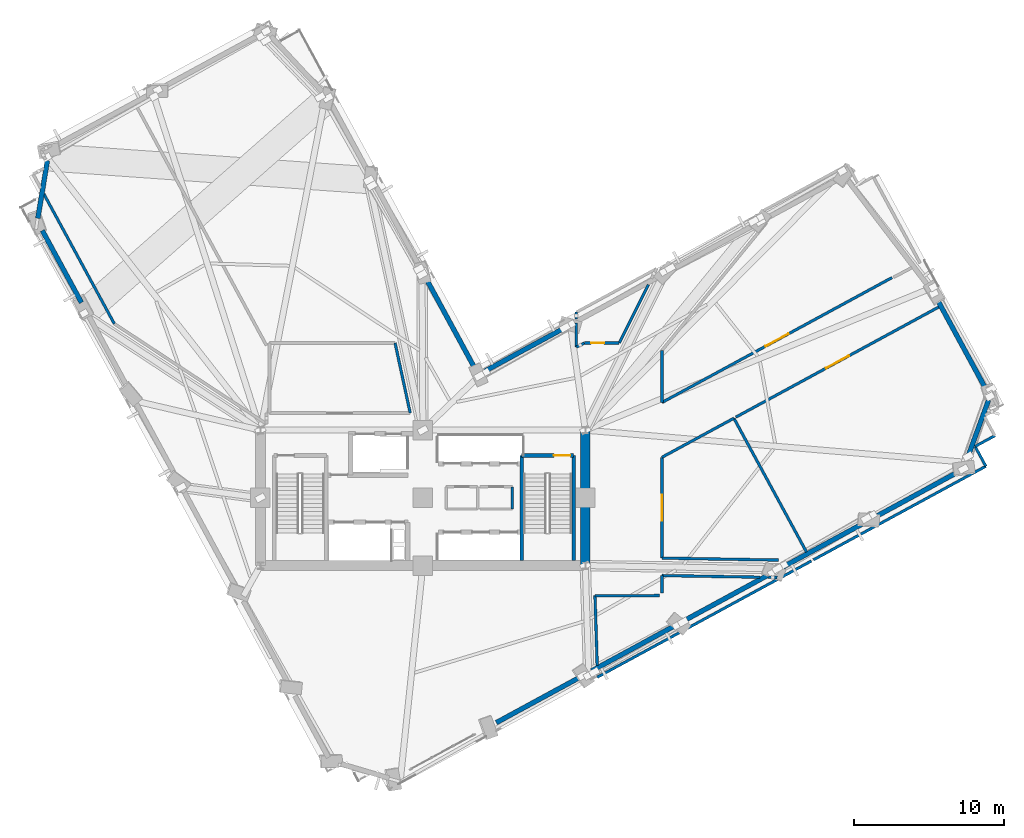
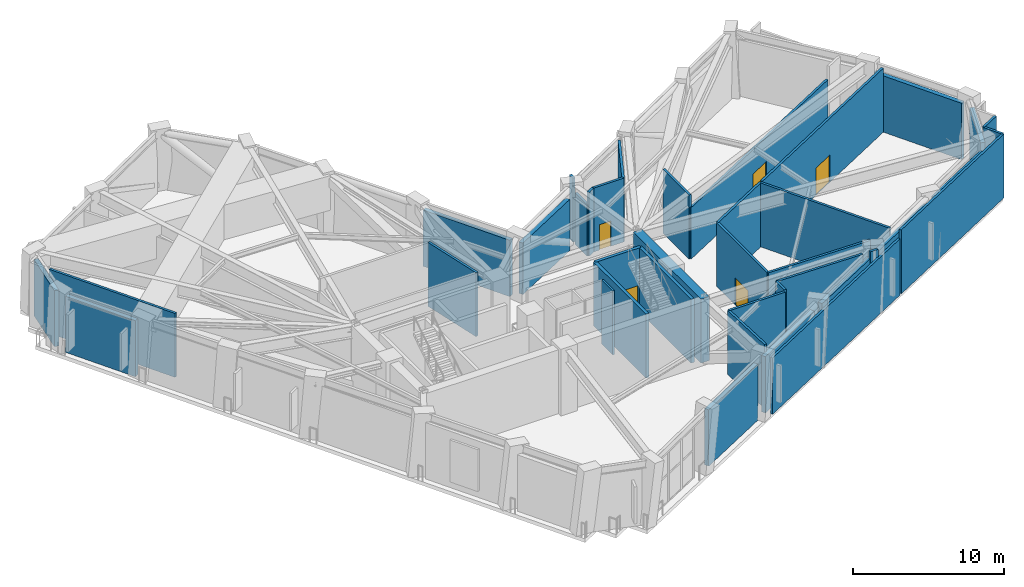
# One storey, part 9 of 15: 39 walls, 5 doors, 5 openings.
"""IFC4 building model written with IfcOpenShell, lengths in metres."""

from ifc_helpers import new_model, si_unit, direction, frame, frame_2d, origin, place, context, subcontext, project, spatial, rectangle, extrude, material, layer, layer_set, type_object, element, fill, save


model = new_model("IFC4")

# Units and contexts
model_context = context("Model", 3, precision=1e-05, world=origin(), true_north=direction((0.0, 1.0)))
body_context = subcontext(model_context, "Body", "Model", "MODEL_VIEW")
ifc_project = project(units=[si_unit("LENGTHUNIT", "METRE"), si_unit("AREAUNIT", "SQUARE_METRE"), si_unit("VOLUMEUNIT", "CUBIC_METRE"), si_unit("PLANEANGLEUNIT", "RADIAN"), si_unit("MASSUNIT", "GRAM", prefix="KILO")], contexts=[model_context])

# Site, building, storey
site_placement = place(None, origin())
site = spatial("IfcSite", under=ifc_project, at=site_placement, CompositionType="ELEMENT")
building_placement = place(site_placement, origin())
building = spatial("IfcBuilding", under=site, at=building_placement, Name="Gaonmaruhae Medical Tower", CompositionType="ELEMENT")
storey_placement = place(building_placement, frame((0.0, 0.0, 144.39990234375)))
storey = spatial("IfcBuildingStorey", under=building, at=storey_placement, Name="L34", CompositionType="ELEMENT", Elevation=144.39990234375)

# Walls
ifc_material_1 = material(Name="Concrete C60/75", Category="concrete")
ifc_layer_1 = layer(ifc_material_1, 0.64990234375)
ifc_layer_set_1 = layer_set([ifc_layer_1], Name="Concrete C60/75")
wall_type_1 = type_object("IfcWallType", Name="CW-650 Zone 2 Core Shear Wall", PredefinedType="SHEAR", material=ifc_layer_set_1)
wall_1_placement = place(storey_placement, frame((35.60009765625, 7.800048828125, 0.0), z_axis=(0.0, 0.0, 1.0), x_axis=(0.0, 1.0, 0.0)))
element("IfcWall", 1, at=wall_1_placement, inside=storey, type_object=wall_type_1, Name="L34 Core Shear Wall CSW-E1", PredefinedType="SHEAR", context=body_context, shape_type="SweptSolid", body=[
    extrude(rectangle(XDim=9.0, YDim=0.64990234375, at=frame_2d((4.5, 0.0))), origin(), (0.0, 0.0, 1.0), 5.18017578125),
])
ifc_material_2 = material(Name="Precast concrete C45/55", Category="concrete")
ifc_layer_2 = layer(ifc_material_2, 0.320068359375)
ifc_layer_set_2 = layer_set([ifc_layer_2], Name="Precast concrete C45/55")
wall_type_2 = type_object("IfcWallType", Name="EW-320 Lower Precast Masonry-Frame Facade Wall", PredefinedType="SOLIDWALL", material=ifc_layer_set_2)
wall_2_placement = place(storey_placement, frame((35.1611328125, 0.32958984375, 0.0), z_axis=(0.0, 0.0, 1.0), x_axis=(-0.878808390316, -0.477174824473, 0.0)))
element("IfcWall", 2, at=wall_2_placement, inside=storey, type_object=wall_type_2, Name="L34 Precast Masonry-Frame Wall S02-S03", PredefinedType="SOLIDWALL", context=body_context, shape_type="SweptSolid", body=[
    extrude(rectangle(XDim=6.234375, YDim=0.320068359375, at=frame_2d((3.1171875, 0.0))), origin(), (0.0, 0.0, 1.0), 4.565185546875),
])
wall_3_placement = place(storey_placement, frame((41.482666015625, 3.76171875, 0.0), z_axis=(0.0, 0.0, 1.0), x_axis=(-0.878823307804, -0.477147350051, 0.0)))
element("IfcWall", 3, at=wall_3_placement, inside=storey, type_object=wall_type_2, Name="L34 Precast Masonry-Frame Wall S03-S04", PredefinedType="SOLIDWALL", context=body_context, shape_type="SweptSolid", body=[
    extrude(rectangle(XDim=6.214111328125, YDim=0.320068359375, at=frame_2d((3.10693359375, 0.0))), origin(), (0.0, 0.0, 1.0), 4.565185546875),
])
wall_4_placement = place(storey_placement, frame((47.810546875, 7.197509765625, 0.0), z_axis=(0.0, 0.0, 1.0), x_axis=(-0.878818100109, -0.477156941603, 0.0)))
element("IfcWall", 4, at=wall_4_placement, inside=storey, type_object=wall_type_2, Name="L34 Precast Masonry-Frame Wall S04-S05", PredefinedType="SOLIDWALL", context=body_context, shape_type="SweptSolid", body=[
    extrude(rectangle(XDim=6.208984375, YDim=0.320068359375, at=frame_2d((3.1044921875, 0.0))), origin(), (0.0, 0.0, 1.0), 4.565185546875),
])
wall_5_placement = place(storey_placement, frame((54.14501953125, 10.63671875, 0.0), z_axis=(0.0, 0.0, 1.0), x_axis=(-0.878842142956, -0.477112657309, 0.0)))
element("IfcWall", 5, at=wall_5_placement, inside=storey, type_object=wall_type_2, Name="L34 Precast Masonry-Frame Wall S05-S06", PredefinedType="SOLIDWALL", context=body_context, shape_type="SweptSolid", body=[
    extrude(rectangle(XDim=6.21826171875, YDim=0.320068359375, at=frame_2d((3.109130859375, 0.0))), origin(), (0.0, 0.0, 1.0), 4.565185546875),
])
wall_6_placement = place(storey_placement, frame((60.48583984375, 14.07958984375, 0.0), z_axis=(0.0, 0.0, 1.0), x_axis=(-0.87882063172, -0.477152278904, 0.0)))
element("IfcWall", 6, at=wall_6_placement, inside=storey, type_object=wall_type_2, Name="L34 Precast Masonry-Frame Wall S06-S07", PredefinedType="SOLIDWALL", context=body_context, shape_type="SweptSolid", body=[
    extrude(rectangle(XDim=6.2421875, YDim=0.320068359375, at=frame_2d((3.12109375, 0.0))), origin(), (0.0, 0.0, 1.0), 4.565185546875),
])
wall_7_placement = place(storey_placement, frame((62.41259765625, 18.8037109375, 0.0), z_axis=(0.0, 0.0, 1.0), x_axis=(-0.342854176622, -0.939388638197, 0.0)))
element("IfcWall", 7, at=wall_7_placement, inside=storey, type_object=wall_type_2, Name="L34 Precast Masonry-Frame Wall S07-E01", PredefinedType="SOLIDWALL", context=body_context, shape_type="SweptSolid", body=[
    extrude(rectangle(XDim=4.14501953125, YDim=0.320068359375, at=frame_2d((2.072509765625, 0.0))), origin(), (0.0, 0.0, 1.0), 4.565185546875),
])
wall_8_placement = place(storey_placement, frame((58.920654296875, 25.633544921875, 0.0), z_axis=(0.0, 0.0, 1.0), x_axis=(0.477183231478, -0.878803825433, 0.0)))
element("IfcWall", 8, at=wall_8_placement, inside=storey, type_object=wall_type_2, Name="L34 Precast Masonry-Frame Wall E01-E02", PredefinedType="SOLIDWALL", context=body_context, shape_type="SweptSolid", body=[
    extrude(rectangle(XDim=6.83984375, YDim=0.320068359375, at=frame_2d((3.419921875, 0.0))), origin(), (0.0, 0.0, 1.0), 4.565185546875),
])
wall_9_placement = place(storey_placement, frame((28.931640625, 20.72900390625, 0.0), z_axis=(0.0, 0.0, 1.0), x_axis=(0.878809753576, 0.47717231376, 0.0)))
element("IfcWall", 9, at=wall_9_placement, inside=storey, type_object=wall_type_2, Name="L34 Precast Masonry-Frame Wall EN03-KN01", PredefinedType="SOLIDWALL", context=body_context, shape_type="SweptSolid", body=[
    extrude(rectangle(XDim=5.960205078125, YDim=0.320068359375, at=frame_2d((2.97998046875, 0.0))), origin(), (0.0, 0.0, 1.0), 4.1650390625),
])
wall_10_placement = place(storey_placement, frame((25.051513671875, 26.8173828125, 0.0), z_axis=(0.0, 0.0, 1.0), x_axis=(0.47715083897, -0.878821413525, 0.0)))
element("IfcWall", 10, at=wall_10_placement, inside=storey, type_object=wall_type_2, Name="L34 Precast Masonry-Frame Wall KN01-NE01", PredefinedType="SOLIDWALL", context=body_context, shape_type="SweptSolid", body=[
    extrude(rectangle(XDim=6.760009765625, YDim=0.320068359375, at=frame_2d((3.3798828125, 0.0))), origin(), (0.0, 0.0, 1.0), 4.565185546875),
])
wall_11_placement = place(storey_placement, frame((-0.79638671875, 30.88818359375, 0.0), z_axis=(0.0, 0.0, 1.0), x_axis=(0.163818799097, 0.986490446514, 0.0)))
element("IfcWall", 11, at=wall_11_placement, inside=storey, type_object=wall_type_2, Name="L34 Precast Masonry-Frame Wall N03-W01", PredefinedType="SOLIDWALL", context=body_context, shape_type="SweptSolid", body=[
    extrude(rectangle(XDim=3.8896484375, YDim=0.320068359375, at=frame_2d((1.94482421875, 0.0))), origin(), (0.0, 0.0, 1.0), 4.545166015625),
])
wall_12_placement = place(storey_placement, frame((2.103515625, 25.28125, 0.0), z_axis=(0.0, 0.0, 1.0), x_axis=(-0.477173828041, 0.878808931357, 0.0)))
element("IfcWall", 12, at=wall_12_placement, inside=storey, type_object=wall_type_2, Name="L34 Precast Masonry-Frame Wall W01-W02", PredefinedType="SOLIDWALL", context=body_context, shape_type="SweptSolid", body=[
    extrude(rectangle(XDim=5.45556640625, YDim=0.320068359375, at=frame_2d((2.727783203125, 0.0))), origin(), (0.0, 0.0, 1.0), 4.545166015625),
])
ifc_material_3 = material(Name="Gypsum board partition", Category="gypsum")
ifc_layer_3 = layer(ifc_material_3, 0.14990234375)
ifc_layer_set_3 = layer_set([ifc_layer_3], Name="Gypsum board partition")
wall_type_3 = type_object("IfcWallType", Name="PW-150 Rated Clinical Corridor Partition", PredefinedType="PARTITIONING", material=ifc_layer_set_3)
wall_13_placement = place(storey_placement, frame((30.75, 13.0400390625, 0.0), z_axis=(0.0, 0.0, 1.0), x_axis=(0.0, -1.0, 0.0)))
element("IfcWall", 13, at=wall_13_placement, inside=storey, type_object=wall_type_3, Name="L34 Interior Partition L34-CS2-6", PredefinedType="PARTITIONING", context=body_context, shape_type="SweptSolid", body=[
    extrude(rectangle(XDim=1.47998046875, YDim=0.14990234375, at=frame_2d((0.739990234375, 0.0))), origin(), (0.0, 0.0, 1.0), 5.18017578125),
])
ifc_layer_4 = layer(ifc_material_3, 0.179931640625)
ifc_layer_set_4 = layer_set([ifc_layer_4], Name="Gypsum board partition")
wall_type_4 = type_object("IfcWallType", Name="PW-180 Refuge & Plant Acoustic Fire Partition", PredefinedType="PARTITIONING", material=ifc_layer_set_4)
wall_14_placement = place(storey_placement, frame((22.9541015625, 22.60009765625, 0.0), z_axis=(0.0, 0.0, 1.0), x_axis=(0.211025367059, -0.977480585208, 0.0)))
element("IfcWall", 14, at=wall_14_placement, inside=storey, type_object=wall_type_4, Name="L34 Interior Partition L34-REF1-10", PredefinedType="PARTITIONING", context=body_context, shape_type="SweptSolid", body=[
    extrude(rectangle(XDim=4.75732421875, YDim=0.179931640625, at=frame_2d((2.378662109375, 0.0))), origin(), (0.0, 0.0, 1.0), 5.18017578125),
])
wall_15_placement = place(storey_placement, frame((40.698974609375, 5.97998046875, 0.0), z_axis=(0.0, 0.0, 1.0), x_axis=(0.00084548691, 0.999999642576, 0.0)))
element("IfcWall", 15, at=wall_15_placement, inside=storey, type_object=wall_type_4, Name="L34 Interior Partition L34-CHILB-20", PredefinedType="PARTITIONING", context=body_context, shape_type="SweptSolid", body=[
    extrude(rectangle(XDim=1.155029296875, YDim=0.179931640625, at=frame_2d((0.57763671875, 0.0))), origin(), (0.0, 0.0, 1.0), 5.18017578125),
])
wall_16_placement = place(storey_placement, frame((40.699951171875, 7.135009765625, 0.0), z_axis=(0.0, 0.0, 1.0), x_axis=(0.999862820754, -0.016563202413, 0.0)))
element("IfcWall", 16, at=wall_16_placement, inside=storey, type_object=wall_type_4, Name="L34 Interior Partition L34-CHILB-21", PredefinedType="PARTITIONING", context=body_context, shape_type="SweptSolid", body=[
    extrude(rectangle(XDim=6.51513671875, YDim=0.179931640625, at=frame_2d((3.257568359375, 0.0))), origin(), (0.0, 0.0, 1.0), 5.18017578125),
])
wall_17_placement = place(storey_placement, frame((47.762939453125, 7.01806640625, 0.0), z_axis=(0.0, 0.0, 1.0), x_axis=(0.999860004414, -0.016732351094, 0.0)))
element("IfcWall", 17, at=wall_17_placement, inside=storey, type_object=wall_type_4, Name="L34 Interior Partition L34-CHILB-22", PredefinedType="PARTITIONING", context=body_context, shape_type="SweptSolid", body=[
    extrude(rectangle(XDim=0.59814453125, YDim=0.179931640625, at=frame_2d((0.299072265625, 0.0))), origin(), (0.0, 0.0, 1.0), 5.18017578125),
])
wall_18_placement = place(storey_placement, frame((48.43701171875, 8.1650390625, 0.0), z_axis=(0.0, 0.0, 1.0), x_axis=(-0.999857000495, 0.016910900643, 0.0)))
element("IfcWall", 18, at=wall_18_placement, inside=storey, type_object=wall_type_4, Name="L34 Interior Partition L34-CHILB-23", PredefinedType="PARTITIONING", context=body_context, shape_type="SweptSolid", body=[
    extrude(rectangle(XDim=7.73828125, YDim=0.179931640625, at=frame_2d((3.869140625, 0.0))), origin(), (0.0, 0.0, 1.0), 5.18017578125),
])

# Wall, opening, door
wall_19_placement = place(storey_placement, frame((40.699951171875, 8.2958984375, 0.0), z_axis=(0.0, 0.0, 1.0), x_axis=(0.0, 1.0, 0.0)))
wall_19 = element("IfcWall", 19, at=wall_19_placement, inside=storey, type_object=wall_type_4, Name="L34 Interior Partition L34-CHILB-24", PredefinedType="PARTITIONING", context=body_context, shape_type="SweptSolid", body=[
    extrude(rectangle(XDim=6.7041015625, YDim=0.179931640625, at=frame_2d((3.35205078125, 0.0))), origin(), (0.0, 0.0, 1.0), 5.18017578125),
])
opening_1_placement = place(wall_19_placement, frame((2.47705078125, 0.0, 0.0)))
opening_1 = element("IfcOpeningElement", 20, at=opening_1_placement, cuts=wall_19, Name="Opening PD-01", PredefinedType="OPENING", context=body_context, shape_type="SweptSolid", body=[
    extrude(rectangle(XDim=1.75, YDim=2.199951171875, at=frame_2d((0.875, 1.10009765625))), frame((0.0, 0.10009765625, 0.0), z_axis=(0.0, -1.0, 0.0), x_axis=(1.0, 0.0, 0.0)), (0.0, 0.0, 1.0), 0.199951171875),
])
ifc_material_4 = material(Name="Acoustic galvanised steel plant door", Category="steel")
door_type_1 = type_object("IfcDoorType", Name="PD-01 Mechanical Plant Double Equipment Door 1750x2200", OperationType="NOTDEFINED", PredefinedType="DOOR", material=ifc_material_4)
door_1_placement = place(opening_1_placement, origin())
door_1 = element("IfcDoor", 21, at=door_1_placement, inside=storey, type_object=door_type_1, Name="L34 Zone Chiller and Heat Exchanger Plant Room Annex Door", OperationType="DOUBLE_DOOR_SINGLE_SWING", OverallHeight=2.199951171875, OverallWidth=1.75, PredefinedType="DOOR", context=body_context, shape_type="SweptSolid", body=[
    extrude(rectangle(XDim=1.75, YDim=2.199951171875, at=frame_2d((0.875, 1.10009765625))), frame((0.0, 0.02490234375, 0.0), z_axis=(0.0, -1.0, 0.0), x_axis=(1.0, 0.0, 0.0)), (0.0, 0.0, 1.0), 0.050048828125),
])
fill(opening_1, door_1)

# Walls
wall_20_placement = place(storey_placement, frame((40.699951171875, 15.0, 0.0), z_axis=(0.0, 0.0, 1.0), x_axis=(0.878839444426, 0.477117627971, 0.0)))
element("IfcWall", 22, at=wall_20_placement, inside=storey, type_object=wall_type_4, Name="L34 Interior Partition L34-CHILB-25", PredefinedType="PARTITIONING", context=body_context, shape_type="SweptSolid", body=[
    extrude(rectangle(XDim=5.436767578125, YDim=0.179931640625, at=frame_2d((2.71826171875, 0.0))), origin(), (0.0, 0.0, 1.0), 5.18017578125),
])
wall_21_placement = place(storey_placement, frame((45.47802734375, 17.593994140625, 0.0), z_axis=(0.0, 0.0, 1.0), x_axis=(0.477131280345, -0.878832032482, 0.0)))
element("IfcWall", 23, at=wall_21_placement, inside=storey, type_object=wall_type_4, Name="L34 Interior Partition L34-CHILB-26", PredefinedType="PARTITIONING", context=body_context, shape_type="SweptSolid", body=[
    extrude(rectangle(XDim=10.114501953125, YDim=0.179931640625, at=frame_2d((5.05712890625, 0.0))), origin(), (0.0, 0.0, 1.0), 5.18017578125),
])
wall_22_placement = place(storey_placement, frame((50.631103515625, 8.10302734375, 0.0), z_axis=(0.0, 0.0, 1.0), x_axis=(-0.878831583787, -0.477132106799, 0.0)))
element("IfcWall", 24, at=wall_22_placement, inside=storey, type_object=wall_type_4, Name="L34 Interior Partition L34-CHILB-27", PredefinedType="PARTITIONING", context=body_context, shape_type="SweptSolid", body=[
    extrude(rectangle(XDim=16.198974609375, YDim=0.179931640625, at=frame_2d((8.099609375, 0.0))), origin(), (0.0, 0.0, 1.0), 4.565185546875),
])
wall_23_placement = place(storey_placement, frame((36.39111328125, 1.15087890625, 0.0), z_axis=(0.0, 0.0, 1.0), x_axis=(-0.031649315657, 0.999499034926, 0.0)))
element("IfcWall", 25, at=wall_23_placement, inside=storey, type_object=wall_type_4, Name="L34 Interior Partition L34-CHILB-28", PredefinedType="PARTITIONING", context=body_context, shape_type="SweptSolid", body=[
    extrude(rectangle(XDim=4.651611328125, YDim=0.179931640625, at=frame_2d((2.32568359375, 0.0))), origin(), (0.0, 0.0, 1.0), 5.18017578125),
])
wall_24_placement = place(storey_placement, frame((36.243896484375, 5.800048828125, 0.0), z_axis=(0.0, 0.0, 1.0), x_axis=(0.999999586448, 0.000909452247, 0.0)))
element("IfcWall", 26, at=wall_24_placement, inside=storey, type_object=wall_type_4, Name="L34 Interior Partition L34-CHILB-29", PredefinedType="PARTITIONING", context=body_context, shape_type="SweptSolid", body=[
    extrude(rectangle(XDim=4.295166015625, YDim=0.179931640625, at=frame_2d((2.1474609375, 0.0))), origin(), (0.0, 0.0, 1.0), 5.18017578125),
])

# Wall, opening, door
wall_25_placement = place(storey_placement, frame((45.60888671875, 17.666015625, 0.0), z_axis=(0.0, 0.0, 1.0), x_axis=(0.878847150276, 0.477103433704, 0.0)))
wall_25 = element("IfcWall", 27, at=wall_25_placement, inside=storey, type_object=wall_type_4, Name="L34 Interior Partition L34-AHU-30", PredefinedType="PARTITIONING", context=body_context, shape_type="SweptSolid", body=[
    extrude(rectangle(XDim=15.36572265625, YDim=0.179931640625, at=frame_2d((7.682861328125, 0.0))), origin(), (0.0, 0.0, 1.0), 5.18017578125),
])
opening_2_placement = place(wall_25_placement, frame((6.807861328125, 0.0, 0.0)))
opening_2 = element("IfcOpeningElement", 28, at=opening_2_placement, cuts=wall_25, Name="Opening PD-01", PredefinedType="OPENING", context=body_context, shape_type="SweptSolid", body=[
    extrude(rectangle(XDim=1.75, YDim=2.199951171875, at=frame_2d((0.875, 1.10009765625))), frame((0.0, 0.10009765625, 0.0), z_axis=(0.0, -1.0, 0.0), x_axis=(1.0, 0.0, 0.0)), (0.0, 0.0, 1.0), 0.199951171875),
])
door_2_placement = place(opening_2_placement, origin())
door_2 = element("IfcDoor", 29, at=door_2_placement, inside=storey, type_object=door_type_1, Name="L34 Clinical Air Handling Unit Plant Room Door", OperationType="DOUBLE_DOOR_SINGLE_SWING", OverallHeight=2.199951171875, OverallWidth=1.75, PredefinedType="DOOR", context=body_context, shape_type="SweptSolid", body=[
    extrude(rectangle(XDim=1.75, YDim=2.199951171875, at=frame_2d((0.875, 1.10009765625))), frame((0.0, 0.02490234375, 0.0), z_axis=(0.0, -1.0, 0.0), x_axis=(1.0, 0.0, 0.0)), (0.0, 0.0, 1.0), 0.050048828125),
])
fill(opening_2, door_2)

# Walls
wall_26_placement = place(storey_placement, frame((62.833984375, 16.43603515625, 0.0), z_axis=(0.0, 0.0, 1.0), x_axis=(-0.878672014112, -0.477425901703, 0.0)))
element("IfcWall", 30, at=wall_26_placement, inside=storey, type_object=wall_type_4, Name="L34 Interior Partition L34-AHU-34", PredefinedType="PARTITIONING", context=body_context, shape_type="SweptSolid", body=[
    extrude(rectangle(XDim=1.499755859375, YDim=0.179931640625, at=frame_2d((0.75, 0.0))), origin(), (0.0, 0.0, 1.0), 5.18017578125),
])
wall_27_placement = place(storey_placement, frame((61.51611328125, 15.719970703125, 0.0), z_axis=(0.0, 0.0, 1.0), x_axis=(0.476797162436, -0.879013347961, 0.0)))
element("IfcWall", 31, at=wall_27_placement, inside=storey, type_object=wall_type_4, Name="L34 Interior Partition L34-AHU-35", PredefinedType="PARTITIONING", context=body_context, shape_type="SweptSolid", body=[
    extrude(rectangle(XDim=1.499267578125, YDim=0.179931640625, at=frame_2d((0.74951171875, 0.0))), origin(), (0.0, 0.0, 1.0), 5.18017578125),
])
wall_28_placement = place(storey_placement, frame((62.23095703125, 14.402099609375, 0.0), z_axis=(0.0, 0.0, 1.0), x_axis=(-0.878803446557, -0.477183929234, 0.0)))
element("IfcWall", 32, at=wall_28_placement, inside=storey, type_object=wall_type_4, Name="L34 Interior Partition L34-AHU-36", PredefinedType="PARTITIONING", context=body_context, shape_type="SweptSolid", body=[
    extrude(rectangle(XDim=13.049560546875, YDim=0.179931640625, at=frame_2d((6.52490234375, 0.0))), origin(), (0.0, 0.0, 1.0), 5.18017578125),
])

# Wall, opening, door
wall_29_placement = place(storey_placement, frame((55.990966796875, 26.944091796875, 0.0), z_axis=(0.0, 0.0, 1.0), x_axis=(-0.878825358155, -0.477143573638, 0.0)))
wall_29 = element("IfcWall", 33, at=wall_29_placement, inside=storey, type_object=wall_type_4, Name="L34 Interior Partition L34-PUMP-37", PredefinedType="PARTITIONING", context=body_context, shape_type="SweptSolid", body=[
    extrude(rectangle(XDim=17.3994140625, YDim=0.179931640625, at=frame_2d((8.69970703125, 0.0))), origin(), (0.0, 0.0, 1.0), 4.1650390625),
])
opening_3_placement = place(wall_29_placement, frame((7.82470703125, 0.0, 0.0)))
opening_3 = element("IfcOpeningElement", 34, at=opening_3_placement, cuts=wall_29, Name="Opening PD-01", PredefinedType="OPENING", context=body_context, shape_type="SweptSolid", body=[
    extrude(rectangle(XDim=1.75, YDim=2.199951171875, at=frame_2d((0.875, 1.10009765625))), frame((0.0, 0.10009765625, 0.0), z_axis=(0.0, -1.0, 0.0), x_axis=(1.0, 0.0, 0.0)), (0.0, 0.0, 1.0), 0.199951171875),
])
door_3_placement = place(opening_3_placement, origin())
door_3 = element("IfcDoor", 35, at=door_3_placement, inside=storey, type_object=door_type_1, Name="L34 Domestic Booster and Fire Pump Tank Room Door", OperationType="DOUBLE_DOOR_SINGLE_SWING", OverallHeight=2.199951171875, OverallWidth=1.75, PredefinedType="DOOR", context=body_context, shape_type="SweptSolid", body=[
    extrude(rectangle(XDim=1.75, YDim=2.199951171875, at=frame_2d((0.875, 1.10009765625))), frame((0.0, 0.02490234375, 0.0), z_axis=(0.0, -1.0, 0.0), x_axis=(1.0, 0.0, 0.0)), (0.0, 0.0, 1.0), 0.050048828125),
])
fill(opening_3, door_3)

# Walls
wall_30_placement = place(storey_placement, frame((40.699951171875, 18.64208984375, 0.0), z_axis=(0.0, 0.0, 1.0), x_axis=(0.0, 1.0, 0.0)))
element("IfcWall", 36, at=wall_30_placement, inside=storey, type_object=wall_type_4, Name="L34 Interior Partition L34-PUMP-38", PredefinedType="PARTITIONING", context=body_context, shape_type="SweptSolid", body=[
    extrude(rectangle(XDim=3.468017578125, YDim=0.179931640625, at=frame_2d((1.73388671875, 0.0))), origin(), (0.0, 0.0, 1.0), 5.18017578125),
])
wall_31_placement = place(storey_placement, frame((35.531982421875, 22.595947265625, 0.0), z_axis=(0.0, 0.0, 1.0), x_axis=(-0.885560928878, -0.464523240802, 0.0)))
element("IfcWall", 37, at=wall_31_placement, inside=storey, type_object=wall_type_4, Name="L34 Interior Partition L34-PUMPB-45", PredefinedType="PARTITIONING", context=body_context, shape_type="SweptSolid", body=[
    extrude(rectangle(XDim=0.600830078125, YDim=0.179931640625, at=frame_2d((0.30029296875, 0.0))), origin(), (0.0, 0.0, 1.0), 5.18017578125),
])
wall_32_placement = place(storey_placement, frame((35.0, 22.31689453125, 0.0), z_axis=(0.0, 0.0, 1.0), x_axis=(0.0, 1.0, 0.0)))
element("IfcWall", 38, at=wall_32_placement, inside=storey, type_object=wall_type_4, Name="L34 Interior Partition L34-PUMPB-46", PredefinedType="PARTITIONING", context=body_context, shape_type="SweptSolid", body=[
    extrude(rectangle(XDim=1.60107421875, YDim=0.179931640625, at=frame_2d((0.800537109375, 0.0))), origin(), (0.0, 0.0, 1.0), 4.1650390625),
])
wall_33_placement = place(storey_placement, frame((35.0, 24.177978515625, 0.0), z_axis=(0.0, 0.0, 1.0), x_axis=(0.0, 1.0, 0.0)))
element("IfcWall", 39, at=wall_33_placement, inside=storey, type_object=wall_type_4, Name="L34 Interior Partition L34-PUMPB-47", PredefinedType="PARTITIONING", context=body_context, shape_type="SweptSolid", body=[
    extrude(rectangle(XDim=0.471923828125, YDim=0.179931640625, at=frame_2d((0.23583984375, 0.0))), origin(), (0.0, 0.0, 1.0), 5.18017578125),
])
wall_34_placement = place(storey_placement, frame((39.7880859375, 26.469970703125, 0.0), z_axis=(0.0, 0.0, 1.0), x_axis=(-0.447416698737, -0.894325610553, 0.0)))
element("IfcWall", 40, at=wall_34_placement, inside=storey, type_object=wall_type_4, Name="L34 Interior Partition L34-PUMPB-50", PredefinedType="PARTITIONING", context=body_context, shape_type="SweptSolid", body=[
    extrude(rectangle(XDim=4.3271484375, YDim=0.179931640625, at=frame_2d((2.16357421875, 0.0))), origin(), (0.0, 0.0, 1.0), 5.18017578125),
])

# Wall, opening, door
wall_35_placement = place(storey_placement, frame((37.85205078125, 22.60009765625, 0.0), z_axis=(0.0, 0.0, 1.0), x_axis=(-0.999998399907, -0.001788905903, 0.0)))
wall_35 = element("IfcWall", 41, at=wall_35_placement, inside=storey, type_object=wall_type_4, Name="L34 Interior Partition L34-PUMPB-51", PredefinedType="PARTITIONING", context=body_context, shape_type="SweptSolid", body=[
    extrude(rectangle(XDim=2.320068359375, YDim=0.179931640625, at=frame_2d((1.16015625, 0.0))), origin(), (0.0, 0.0, 1.0), 5.18017578125),
])
opening_4_placement = place(wall_35_placement, frame((1.0, 0.0, 0.0)))
opening_4 = element("IfcOpeningElement", 42, at=opening_4_placement, cuts=wall_35, Name="Opening AD-01", PredefinedType="OPENING", context=body_context, shape_type="SweptSolid", body=[
    extrude(rectangle(XDim=0.860107421875, YDim=2.06005859375, at=frame_2d((0.43017578125, 1.030029296875))), frame((0.0, 0.10009765625, 0.0), z_axis=(0.0, -1.0, 0.0), x_axis=(1.0, 0.0, 0.0)), (0.0, 0.0, 1.0), 0.199951171875),
])
ifc_material_5 = material(Name="Powder-coated steel access door", Category="steel")
door_type_2 = type_object("IfcDoorType", Name="AD-01 Riser & Closet Access Fire Door 860x2060", OperationType="NOTDEFINED", PredefinedType="DOOR", material=ifc_material_5)
door_4_placement = place(opening_4_placement, origin())
door_4 = element("IfcDoor", 43, at=door_4_placement, inside=storey, type_object=door_type_2, Name="L34 Domestic Booster and Fire Pump Tank Room Annex Sliding Door", OperationType="SLIDING_TO_LEFT", OverallHeight=2.06005859375, OverallWidth=0.860107421875, PredefinedType="DOOR", context=body_context, shape_type="SweptSolid", body=[
    extrude(rectangle(XDim=0.860107421875, YDim=2.06005859375, at=frame_2d((0.43017578125, 1.030029296875))), frame((0.0, 0.02490234375, 0.0), z_axis=(0.0, -1.0, 0.0), x_axis=(1.0, 0.0, 0.0)), (0.0, 0.0, 1.0), 0.050048828125),
])
fill(opening_4, door_4)

# Wall
wall_36_placement = place(storey_placement, frame((4.2880859375, 23.876953125, 0.0), z_axis=(0.0, 0.0, 1.0), x_axis=(-0.477103945961, 0.878846872184, 0.0)))
element("IfcWall", 44, at=wall_36_placement, inside=storey, type_object=wall_type_4, Name="L34 Interior Partition L34-ELEC-56", PredefinedType="PARTITIONING", context=body_context, shape_type="SweptSolid", body=[
    extrude(rectangle(XDim=9.8095703125, YDim=0.179931640625, at=frame_2d((4.90478515625, 0.0))), origin(), (0.0, 0.0, 1.0), 5.18017578125),
])

# Wall, opening, door
ifc_material_6 = material(Name="Concrete C50/60", Category="concrete")
ifc_layer_5 = layer(ifc_material_6, 0.239990234375)
ifc_layer_set_5 = layer_set([ifc_layer_5], Name="Concrete C50/60")
wall_type_5 = type_object("IfcWallType", Name="SW-240 Dogleg Stair Tight Shaft Wall", PredefinedType="SOLIDWALL", material=ifc_layer_set_5)
wall_37_placement = place(storey_placement, frame((31.3701171875, 15.1201171875, 0.0), z_axis=(0.0, 0.0, 1.0), x_axis=(1.0, 0.0, 0.0)))
wall_37 = element("IfcWall", 45, at=wall_37_placement, inside=storey, type_object=wall_type_5, Name="L34 ST-02 Stair Shaft Wall SHW-ST-02-N", PredefinedType="SOLIDWALL", context=body_context, shape_type="SweptSolid", body=[
    extrude(rectangle(XDim=3.4599609375, YDim=0.239990234375, at=frame_2d((1.72998046875, 0.0))), origin(), (0.0, 0.0, 1.0), 5.18017578125),
])
opening_5_placement = place(wall_37_placement, frame((2.139892578125, 0.0, 0.0)))
opening_5 = element("IfcOpeningElement", 46, at=opening_5_placement, cuts=wall_37, Name="Opening FD-01", PredefinedType="OPENING", context=body_context, shape_type="SweptSolid", body=[
    extrude(rectangle(XDim=1.10009765625, YDim=2.14990234375, at=frame_2d((0.550048828125, 1.074951171875))), frame((0.0, 0.1298828125, 0.0), z_axis=(0.0, -1.0, 0.0), x_axis=(1.0, 0.0, 0.0)), (0.0, 0.0, 1.0), 0.260009765625),
])
ifc_material_7 = material(Name="Powder-coated steel fire door", Category="steel")
door_type_3 = type_object("IfcDoorType", Name="FD-01 Escape Stair Protected Fire Door 1100x2150", OperationType="NOTDEFINED", PredefinedType="DOOR", material=ifc_material_7)
door_5_placement = place(opening_5_placement, origin())
door_5 = element("IfcDoor", 47, at=door_5_placement, inside=storey, type_object=door_type_3, Name="L34 ST-02 Protected Escape Stair Door", OperationType="SINGLE_SWING_LEFT", OverallHeight=2.14990234375, OverallWidth=1.10009765625, PredefinedType="DOOR", context=body_context, shape_type="SweptSolid", body=[
    extrude(rectangle(XDim=1.10009765625, YDim=2.14990234375, at=frame_2d((0.550048828125, 1.074951171875))), frame((0.0, 0.02490234375, 0.0), z_axis=(0.0, -1.0, 0.0), x_axis=(1.0, 0.0, 0.0)), (0.0, 0.0, 1.0), 0.050048828125),
])
fill(opening_5, door_5)

# Walls
for number, where, z_axis, x_axis, name in (
    (48, (34.830078125, 15.1201171875, 0.0), (0.0, 0.0, 1.0), (0.0, -1.0, 0.0), "L34 ST-02 Stair Shaft Wall SHW-ST-02-E"),
    (49, (31.3701171875, 8.125, 0.0), (0.0, 0.0, 1.0), (0.0, 1.0, 0.0), "L34 ST-02 Stair Shaft Wall SHW-ST-02-W"),
):
    element("IfcWall", number, at=place(storey_placement, frame(where, z_axis=z_axis, x_axis=x_axis)), inside=storey, type_object=wall_type_5, Name=name, PredefinedType="SOLIDWALL", context=body_context, shape_type="SweptSolid", body=[
        extrude(rectangle(XDim=6.9951171875, YDim=0.239990234375, at=frame_2d((3.49755859375, 0.0))), origin(), (0.0, 0.0, 1.0), 5.18017578125),
    ])

save(model, "model.ifc")
